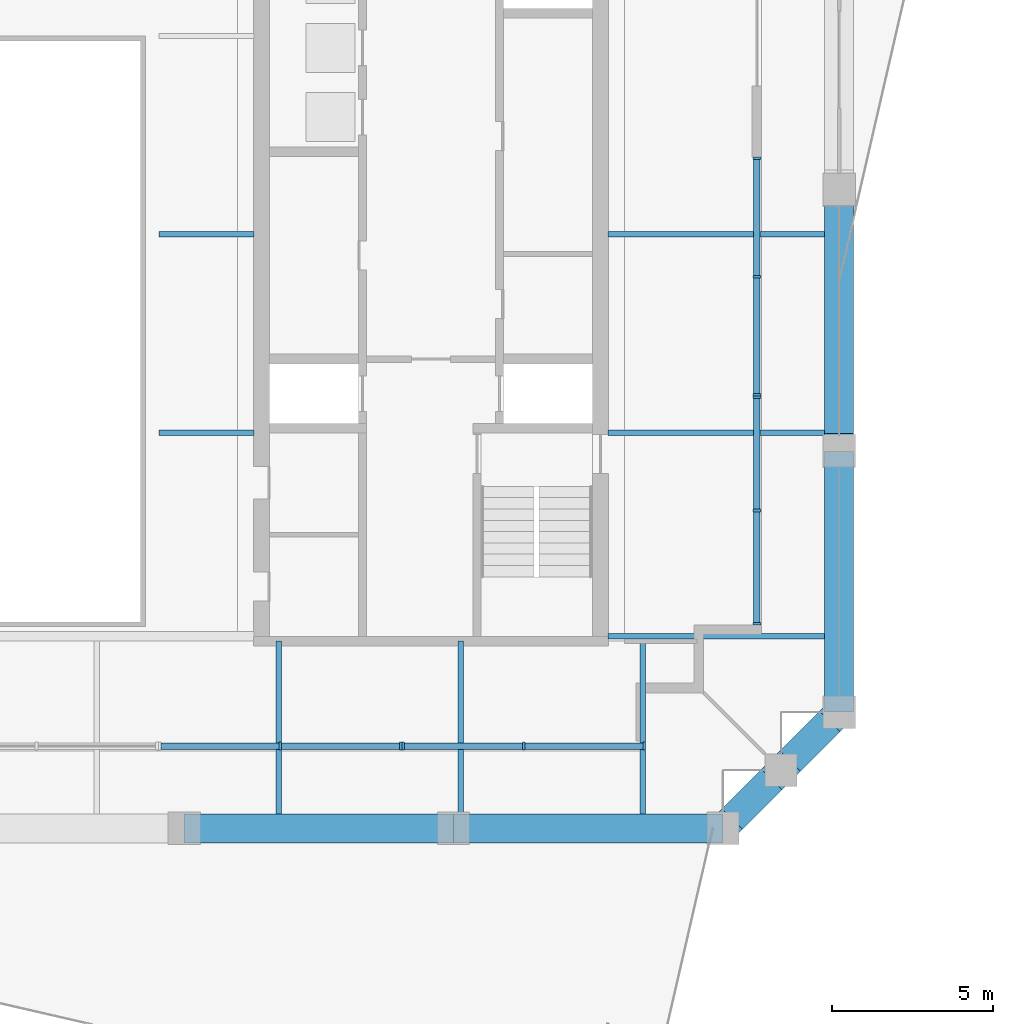
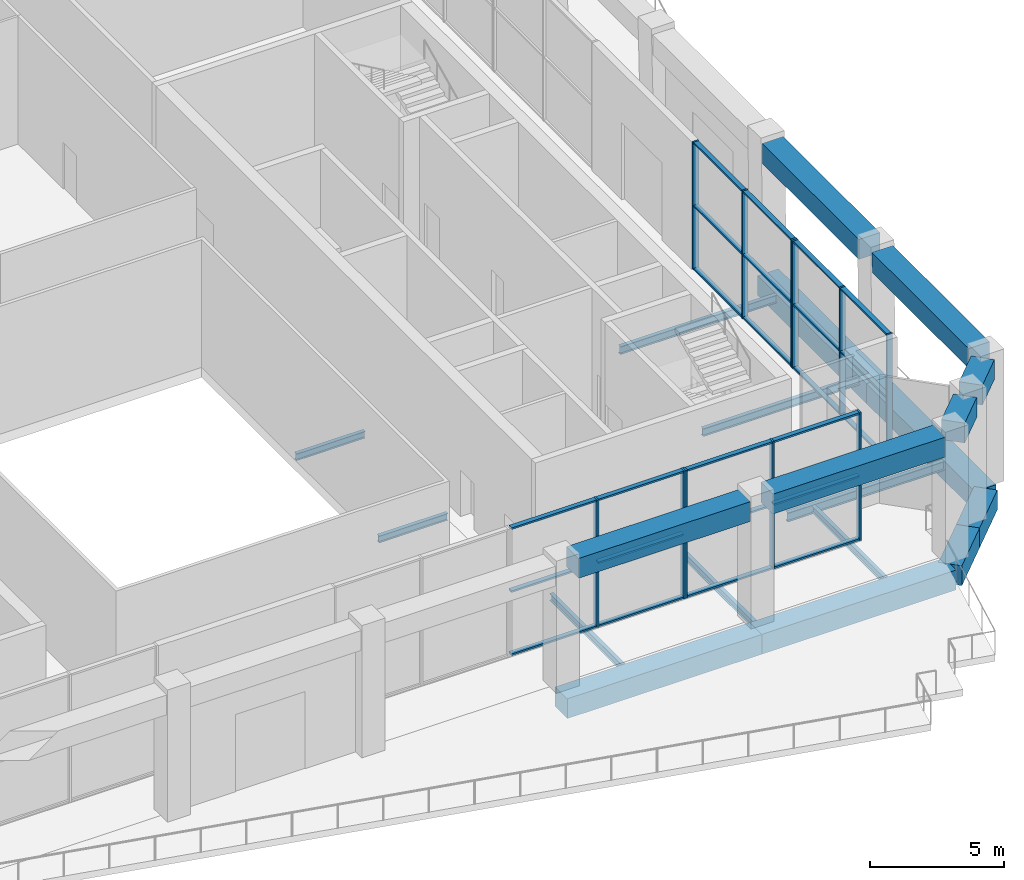
# One storey, part 3 of 20: 35 members, 20 beams, 4 elements without a shape of their own.
"""IFC4 building model written with IfcOpenShell, lengths in metres."""

import ifcopenshell
import ifcopenshell.guid

model = None  # the IFC model being written
_history = None  # IfcOwnerHistory: only IFC2X3 demands one
_inside = {}  # id of a spatial element -> (the spatial element, [elements in it])
_under = {}  # id of a project, library or spatial element -> (it, [spatial elements below it])
_declared = {}  # id of a project -> (the project, [libraries it declares])
_typed = {}  # id of a type object -> (the type object, [elements of that type])
_made_of = {}  # id of a material, layer set ... -> (it, [elements and type objects made of it])


def new_model(schema):
    """Start an empty IFC model of exactly this schema.

    Asked for "IFC4X3", IfcOpenShell would pick the latest addendum, in which some entities
    have other attributes; the version numbers below select the first issue.
    IFC2X3 requires an IfcOwnerHistory on every rooted entity: one is made here for all.
    """
    global model, _history
    if schema == "IFC4X3":
        model = ifcopenshell.file(schema_version=(4, 3, 0, 0))
    else:
        model = ifcopenshell.file(schema=schema)
    _inside.clear()
    _under.clear()
    _declared.clear()
    _typed.clear()
    _made_of.clear()
    _history = None
    if model.schema == "IFC2X3":
        org = make("IfcOrganization", Name="unknown")
        user = make(
            "IfcPersonAndOrganization",
            ThePerson=make("IfcPerson", FamilyName="unknown"),
            TheOrganization=org,
        )
        app = make(
            "IfcApplication",
            ApplicationDeveloper=org,
            Version="unknown",
            ApplicationFullName="unknown",
            ApplicationIdentifier="unknown",
        )
        _history = make(
            "IfcOwnerHistory",
            OwningUser=user,
            OwningApplication=app,
            ChangeAction="ADDED",
            CreationDate=0,
        )
    return model


def make(cls, **values):
    """One entity of the class cls with the attributes given. An attribute that is None is left unset."""
    return model.create_entity(
        cls, **{name: value for name, value in values.items() if value is not None}
    )


def rooted(cls, **values):
    """An entity with a GlobalId (a new one), such as an element, a storey or a relation."""
    return make(cls, GlobalId=ifcopenshell.guid.new(), OwnerHistory=_history, **values)


def si_unit(unit_type, name, prefix=None):
    """IfcSIUnit, for example si_unit("LENGTHUNIT", "METRE", prefix="MILLI")."""
    return make("IfcSIUnit", UnitType=unit_type, Prefix=prefix, Name=name)


def assignment(units):
    """IfcUnitAssignment: the units of a project."""
    return None if units is None else make("IfcUnitAssignment", Units=units)


def point(xyz):
    """IfcCartesianPoint."""
    return None if xyz is None else make("IfcCartesianPoint", Coordinates=xyz)


def direction(xyz):
    """IfcDirection."""
    return None if xyz is None else make("IfcDirection", DirectionRatios=xyz)


def frame(location, z_axis=None, x_axis=None):
    """IfcAxis2Placement3D, a coordinate frame: its origin and axes. An axis left out is left unset."""
    return make(
        "IfcAxis2Placement3D",
        Location=point(location),
        Axis=direction(z_axis),
        RefDirection=direction(x_axis),
    )


def frame_2d(location, x_axis=None):
    """IfcAxis2Placement2D, a coordinate frame in the plane: its origin and x axis."""
    return make(
        "IfcAxis2Placement2D", Location=point(location), RefDirection=direction(x_axis)
    )


def origin():
    """The frame at (0, 0, 0) with its axes left unset."""
    return frame((0.0, 0.0, 0.0))


def origin_2d():
    """The frame at (0, 0) in the plane with its x axis left unset."""
    return frame_2d((0.0, 0.0))


def place(relative_to, where):
    """IfcLocalPlacement: puts the frame where relative to a parent placement (None: the world)."""
    return make(
        "IfcLocalPlacement", PlacementRelTo=relative_to, RelativePlacement=where
    )


def context(
    kind, dimensions, precision=None, world=None, true_north=None, identifier=None
):
    """IfcGeometricRepresentationContext, for example the 3D "Model" context."""
    return make(
        "IfcGeometricRepresentationContext",
        ContextIdentifier=identifier,
        ContextType=kind,
        CoordinateSpaceDimension=dimensions,
        Precision=precision,
        WorldCoordinateSystem=world,
        TrueNorth=true_north,
    )


def subcontext(parent, identifier, kind, view, scale=None):
    """IfcGeometricRepresentationSubContext, for example "Body" below "Model"."""
    return make(
        "IfcGeometricRepresentationSubContext",
        ContextIdentifier=identifier,
        ContextType=kind,
        ParentContext=parent,
        TargetScale=scale,
        TargetView=view,
    )


def project(units=None, contexts=None):
    """IfcProject with its units and contexts."""
    return rooted(
        "IfcProject",
        Name="project",
        RepresentationContexts=contexts,
        UnitsInContext=assignment(units),
    )


def spatial(cls, under=None, at=None, **own):
    """A site, building, storey or space (cls), placed at a placement, below another one or the project."""
    s = rooted(cls, ObjectPlacement=at, **own)
    if under is not None:
        _under.setdefault(under.id(), (under, []))[1].append(s)
    return s


def profile(cls, at=None, kind="AREA", **sizes):
    """A parametric profile (cls). Its sizes go by their IFC names, for example OverallWidth=200.0."""
    return make(cls, ProfileType=kind, Position=at, **sizes)


def rectangle(**sizes):
    """IfcRectangleProfileDef."""
    return profile("IfcRectangleProfileDef", **sizes)


def i_section(**sizes):
    """IfcIShapeProfileDef."""
    return profile("IfcIShapeProfileDef", **sizes)


def extrude(swept, where, along, depth):
    """IfcExtrudedAreaSolid: the profile swept, set in the frame where, extruded along a direction by depth."""
    return make(
        "IfcExtrudedAreaSolid",
        SweptArea=swept,
        Position=where,
        ExtrudedDirection=direction(along),
        Depth=depth,
    )


def shape(context_of_items, identifier, shape_type, items):
    """IfcShapeRepresentation: the items that make up one representation, for example the "Body"."""
    return make(
        "IfcShapeRepresentation",
        ContextOfItems=context_of_items,
        RepresentationIdentifier=identifier,
        RepresentationType=shape_type,
        Items=items,
    )


def material(Name=None, Category=None):
    """IfcMaterial."""
    return make("IfcMaterial", Name=Name, Category=Category)


def material_profile(
    of_material, cross_section, Name=None, Category=None, Priority=None
):
    """IfcMaterialProfile: a cross section and its material."""
    return make(
        "IfcMaterialProfile",
        Name=Name,
        Material=of_material,
        Profile=cross_section,
        Priority=Priority,
        Category=Category,
    )


def profile_set(profiles, Name=None, composite=None):
    """IfcMaterialProfileSet."""
    return make(
        "IfcMaterialProfileSet",
        Name=Name,
        MaterialProfiles=profiles,
        CompositeProfile=composite,
    )


def made_of(thing, what):
    """Note that an element or type object is made of a material, layer set ...; save() writes the relation."""
    if what is not None:
        _made_of.setdefault(what.id(), (what, []))[1].append(thing)
    return thing


def type_object(cls, material=None, **own):
    """A type object (cls), such as IfcWallType, which elements share."""
    return made_of(rooted(cls, **own), material)


def element(
    cls,
    number,
    at=None,
    inside=None,
    cuts=None,
    type_object=None,
    material=None,
    context=None,
    identifier="Body",
    shape_type=None,
    held_by="IfcProductDefinitionShape",
    body=None,
    shapes=None,
    **own,
):
    """One element of the class cls, such as IfcWall. Its Tag is "e" and its number.

    at: its placement. inside: the storey or other place that contains it. cuts: it is an
    opening in that element (IfcRelVoidsElement). A single representation is given by context,
    identifier, shape_type and body (its items); several are given by shapes. held_by: the class
    of the entity that holds the representations. save() writes the other relations.
    """
    e = rooted(cls, Tag="e%d" % number, ObjectPlacement=at, **own)
    if body is not None:
        shapes = [shape(context, identifier, shape_type, body)]
    if shapes is not None:
        e.Representation = make(held_by, Representations=shapes)
    if inside is not None:
        _inside.setdefault(inside.id(), (inside, []))[1].append(e)
    if cuts is not None:
        rooted(
            "IfcRelVoidsElement", RelatingBuildingElement=cuts, RelatedOpeningElement=e
        )
    if type_object is not None:
        _typed.setdefault(type_object.id(), (type_object, []))[1].append(e)
    return made_of(e, material)


def aggregate(whole, parts):
    """IfcRelAggregates: a whole, such as a stair, and the parts it consists of."""
    return rooted("IfcRelAggregates", RelatingObject=whole, RelatedObjects=parts)


def save(model, path):
    """Write the relations noted so far, then the file.

    IfcRelAggregates (storeys below a building ...), IfcRelContainedInSpatialStructure (elements
    in a storey), IfcRelDefinesByType, IfcRelAssociatesMaterial and IfcRelDeclares: one each for
    every whole, place, type object, material and project.
    """
    for whole, parts in _under.values():
        aggregate(whole, parts)
    for where, things in _inside.values():
        rooted(
            "IfcRelContainedInSpatialStructure",
            RelatedElements=things,
            RelatingStructure=where,
        )
    for kind, things in _typed.values():
        rooted("IfcRelDefinesByType", RelatedObjects=things, RelatingType=kind)
    for what, things in _made_of.values():
        rooted("IfcRelAssociatesMaterial", RelatedObjects=things, RelatingMaterial=what)
    for by, libraries in _declared.values():
        rooted("IfcRelDeclares", RelatingContext=by, RelatedDefinitions=libraries)
    model.write(path)


model = new_model("IFC4")

# Units and contexts
model_context = context("Model", 3, precision=1e-05, world=origin(), true_north=direction((0.0, 1.0)))
body_context = subcontext(model_context, "Body", "Model", "MODEL_VIEW")
ifc_project = project(units=[si_unit("LENGTHUNIT", "METRE"), si_unit("AREAUNIT", "SQUARE_METRE"), si_unit("VOLUMEUNIT", "CUBIC_METRE"), si_unit("PLANEANGLEUNIT", "RADIAN"), si_unit("MASSUNIT", "GRAM", prefix="KILO")], contexts=[model_context])

# Site, building, storey
site_placement = place(None, origin())
site = spatial("IfcSite", under=ifc_project, at=site_placement, CompositionType="ELEMENT")
building_placement = place(site_placement, origin())
building = spatial("IfcBuilding", under=site, at=building_placement, Name="Ogive Exchange Tower", CompositionType="ELEMENT")
storey_placement = place(building_placement, frame((0.0, 0.0, 303.0)))
storey = spatial("IfcBuildingStorey", under=building, at=storey_placement, Name="L66", CompositionType="ELEMENT", Elevation=303.0)

# Beams
ifc_material_1 = material(Name="Steel ASTM A992 Gr50", Category="steel")
ifc_material_profile_1 = material_profile(ifc_material_1, i_section(OverallWidth=0.1650390625, OverallDepth=0.31005859375, WebThickness=0.005859375, FlangeThickness=0.009765625, at=origin_2d()), Name="W310x38.7")
ifc_profile_set_1 = profile_set([ifc_material_profile_1], Name="Steel ASTM A992 Gr50")
beam_type_1 = type_object("IfcBeamType", Name="Floor beam W310x38.7", PredefinedType="JOIST", material=ifc_profile_set_1)
for number, where, z_axis, x_axis, name in (
    (1, (7.570068359375, 3.8583984375, -0.60498046875), (1.0, 0.0, 0.0), (0.0, 1.0, 0.0), "Floor beam"),
    (2, (7.570068359375, 10.006591796875, -0.60498046875), (1.0, 0.0, 0.0), (0.0, 1.0, 0.0), "Floor beam"),
):
    element("IfcBeam", number, at=place(storey_placement, frame(where, z_axis=z_axis, x_axis=x_axis)), inside=storey, type_object=beam_type_1, Name=name, PredefinedType="JOIST", context=body_context, shape_type="SweptSolid", body=[
        extrude(i_section(OverallWidth=0.1650390625, OverallDepth=0.31005859375, WebThickness=0.005859375, FlangeThickness=0.009765625, at=origin_2d()), origin(), (0.0, 0.0, 1.0), 2.949951171875),
    ])
for number, where, z_axis, x_axis, name in (
    (3, (11.280029296875, -7.949951171875, -0.60498046875), (0.0, 1.0, 0.0), (-1.0, 0.0, 0.0), "Floor beam"),
    (4, (16.919921875, -7.949951171875, -0.60498046875), (0.0, 1.0, 0.0), (-1.0, 0.0, 0.0), "Floor beam"),
):
    element("IfcBeam", number, at=place(storey_placement, frame(where, z_axis=z_axis, x_axis=x_axis)), inside=storey, type_object=beam_type_1, Name=name, PredefinedType="JOIST", context=body_context, shape_type="SweptSolid", body=[
        extrude(i_section(OverallWidth=0.1650390625, OverallDepth=0.31005859375, WebThickness=0.005859375, FlangeThickness=0.009765625, at=origin_2d()), origin(), (0.0, 0.0, 1.0), 5.349853515625),
    ])
beam_1_placement = place(storey_placement, frame((22.56005859375, -7.949951171875, -0.60498046875), z_axis=(0.0, 1.0, 0.0), x_axis=(-1.0, 0.0, 0.0)))
element("IfcBeam", 5, at=beam_1_placement, inside=storey, type_object=beam_type_1, Name="Floor beam", PredefinedType="JOIST", context=body_context, shape_type="SweptSolid", body=[
    extrude(i_section(OverallWidth=0.1650390625, OverallDepth=0.31005859375, WebThickness=0.005859375, FlangeThickness=0.009765625, at=origin_2d()), origin(), (0.0, 0.0, 1.0), 5.416015625),
])
ifc_material_profile_2 = material_profile(ifc_material_1, i_section(OverallWidth=0.1708984375, OverallDepth=0.35595703125, WebThickness=0.00732421875, FlangeThickness=0.01171875, at=origin_2d()), Name="W360x51")
ifc_profile_set_2 = profile_set([ifc_material_profile_2], Name="Steel ASTM A992 Gr50")
beam_type_2 = type_object("IfcBeamType", Name="Floor beam W360x51", PredefinedType="JOIST", material=ifc_profile_set_2)
for number, where, z_axis, x_axis, name in (
    (6, (21.47998046875, 3.8583984375, -0.6279296875), (1.0, 0.0, 0.0), (0.0, 1.0, 0.0), "Floor beam"),
    (7, (21.47998046875, 10.006591796875, -0.6279296875), (1.0, 0.0, 0.0), (0.0, 1.0, 0.0), "Floor beam"),
):
    element("IfcBeam", number, at=place(storey_placement, frame(where, z_axis=z_axis, x_axis=x_axis)), inside=storey, type_object=beam_type_2, Name=name, PredefinedType="JOIST", context=body_context, shape_type="SweptSolid", body=[
        extrude(i_section(OverallWidth=0.1708984375, OverallDepth=0.35595703125, WebThickness=0.00732421875, FlangeThickness=0.01171875, at=origin_2d()), origin(), (0.0, 0.0, 1.0), 6.719970703125),
    ])
ifc_material_profile_3 = material_profile(ifc_material_1, i_section(OverallWidth=0.177978515625, OverallDepth=0.406005859375, WebThickness=0.0078125, FlangeThickness=0.0126953125, at=origin_2d()), Name="W410x60")
ifc_profile_set_3 = profile_set([ifc_material_profile_3], Name="Steel ASTM A992 Gr50")
beam_type_3 = type_object("IfcBeamType", Name="Girder W410x60", PredefinedType="BEAM", material=ifc_profile_set_3)
beam_2_placement = place(storey_placement, frame((21.47998046875, -2.445068359375, -0.653076171875), z_axis=(1.0, 0.0, 0.0), x_axis=(0.0, 1.0, 0.0)))
element("IfcBeam", 8, at=beam_2_placement, inside=storey, type_object=beam_type_3, Name="Header girder", PredefinedType="BEAM", context=body_context, shape_type="SweptSolid", body=[
    extrude(i_section(OverallWidth=0.177978515625, OverallDepth=0.406005859375, WebThickness=0.0078125, FlangeThickness=0.0126953125, at=origin_2d()), origin(), (0.0, 0.0, 1.0), 6.719970703125),
])
ifc_material_2 = material(Name="Precast concrete C70/85 (limestone faced)", Category="masonry")
ifc_material_profile_4 = material_profile(ifc_material_2, rectangle(XDim=0.89990234375, YDim=0.89990234375, at=origin_2d()), Name="900 x 900")
ifc_profile_set_4 = profile_set([ifc_material_profile_4], Name="Precast concrete C70/85 (limestone faced)")
beam_type_4 = type_object("IfcBeamType", Name="Precast spandrel 900 x 900 C70/85", PredefinedType="SPANDREL", material=ifc_profile_set_4)
beam_3_placement = place(storey_placement, frame((8.830078125, -8.39990234375, 5.300048828125), z_axis=(1.0, 0.0, 0.0), x_axis=(0.0, 1.0, 0.0)))
element("IfcBeam", 9, at=beam_3_placement, inside=storey, type_object=beam_type_4, Name="Spandrel 5", PredefinedType="SPANDREL", context=body_context, shape_type="SweptSolid", body=[
    extrude(rectangle(XDim=0.89990234375, YDim=0.89990234375, at=origin_2d()), origin(), (0.0, 0.0, 1.0), 7.389892578125),
])
beam_4_placement = place(storey_placement, frame((17.179931640625, -8.39990234375, 5.300048828125), z_axis=(1.0, 0.0, 0.0), x_axis=(0.0, 1.0, 0.0)))
element("IfcBeam", 10, at=beam_4_placement, inside=storey, type_object=beam_type_4, Name="Spandrel 6", PredefinedType="SPANDREL", context=body_context, shape_type="SweptSolid", body=[
    extrude(rectangle(XDim=0.89990234375, YDim=0.89990234375, at=origin_2d()), origin(), (0.0, 0.0, 1.0), 7.39013671875),
])
for number, where, z_axis, x_axis, name in (
    (11, (25.337890625, -8.112060546875, 5.300048828125), (0.707106781187, 0.707106781187, 0.0), (-0.707106781187, 0.707106781187, 0.0), "Spandrel 7"),
    (12, (27.137939453125, -6.31201171875, 5.300048828125), (0.707106781187, 0.707106781187, 0.0), (-0.707106781187, 0.707106781187, 0.0), "Spandrel 8"),
):
    element("IfcBeam", number, at=place(storey_placement, frame(where, z_axis=z_axis, x_axis=x_axis)), inside=storey, type_object=beam_type_4, Name=name, PredefinedType="SPANDREL", context=body_context, shape_type="SweptSolid", body=[
        extrude(rectangle(XDim=0.89990234375, YDim=0.89990234375, at=origin_2d()), origin(), (0.0, 0.0, 1.0), 1.731201171875),
    ])
beam_5_placement = place(storey_placement, frame((28.64990234375, -4.320068359375, 5.300048828125), z_axis=(0.0, 1.0, 0.0), x_axis=(-1.0, 0.0, 0.0)))
element("IfcBeam", 13, at=beam_5_placement, inside=storey, type_object=beam_type_4, Name="Spandrel 9", PredefinedType="SPANDREL", context=body_context, shape_type="SweptSolid", body=[
    extrude(rectangle(XDim=0.89990234375, YDim=0.89990234375, at=origin_2d()), origin(), (0.0, 0.0, 1.0), 7.20361328125),
])
beam_6_placement = place(storey_placement, frame((28.64990234375, 3.843505859375, 5.300048828125), z_axis=(0.0, 1.0, 0.0), x_axis=(-1.0, 0.0, 0.0)))
element("IfcBeam", 14, at=beam_6_placement, inside=storey, type_object=beam_type_4, Name="Spandrel 10", PredefinedType="SPANDREL", context=body_context, shape_type="SweptSolid", body=[
    extrude(rectangle(XDim=0.89990234375, YDim=0.89990234375, at=origin_2d()), origin(), (0.0, 0.0, 1.0), 7.203857421875),
])
ifc_material_profile_5 = material_profile(ifc_material_2, rectangle(XDim=0.89990234375, YDim=0.89990234375, at=origin_2d()), Name="900 x 900")
ifc_profile_set_5 = profile_set([ifc_material_profile_5], Name="Precast concrete C70/85 (limestone faced)")
beam_type_5 = type_object("IfcBeamType", Name="Precast transfer girder 900 x 900 C70/85", PredefinedType="BEAM", material=ifc_profile_set_5)
beam_7_placement = place(storey_placement, frame((8.35009765625, -8.39990234375, -0.89990234375), z_axis=(1.0, 0.0, 0.0), x_axis=(0.0, 1.0, 0.0)))
element("IfcBeam", 15, at=beam_7_placement, inside=storey, type_object=beam_type_5, Name="Transfer girder 5", PredefinedType="BEAM", context=body_context, shape_type="SweptSolid", body=[
    extrude(rectangle(XDim=0.89990234375, YDim=0.89990234375, at=origin_2d()), origin(), (0.0, 0.0, 1.0), 8.349853515625),
])
beam_8_placement = place(storey_placement, frame((16.699951171875, -8.39990234375, -0.89990234375), z_axis=(1.0, 0.0, 0.0), x_axis=(0.0, 1.0, 0.0)))
element("IfcBeam", 16, at=beam_8_placement, inside=storey, type_object=beam_type_5, Name="Transfer girder 6", PredefinedType="BEAM", context=body_context, shape_type="SweptSolid", body=[
    extrude(rectangle(XDim=0.89990234375, YDim=0.89990234375, at=origin_2d()), origin(), (0.0, 0.0, 1.0), 8.35009765625),
])
for number, where, z_axis, x_axis, name in (
    (17, (25.050048828125, -8.39990234375, -0.89990234375), (0.707154735259, 0.707058823862, 0.0), (-0.707058823862, 0.707154735259, 0.0), "Transfer girder 7"),
    (18, (26.85009765625, -6.60009765625, -0.89990234375), (0.707058823862, 0.707154735259, 0.0), (-0.707154735259, 0.707058823862, 0.0), "Transfer girder 8"),
):
    element("IfcBeam", number, at=place(storey_placement, frame(where, z_axis=z_axis, x_axis=x_axis)), inside=storey, type_object=beam_type_5, Name=name, PredefinedType="BEAM", context=body_context, shape_type="SweptSolid", body=[
        extrude(rectangle(XDim=0.89990234375, YDim=0.89990234375, at=origin_2d()), origin(), (0.0, 0.0, 1.0), 2.54541015625),
    ])
for number, where, z_axis, x_axis, name in (
    (19, (28.64990234375, -4.800048828125, -0.89990234375), (0.0, 1.0, 0.0), (-1.0, 0.0, 0.0), "Transfer girder 9"),
    (20, (28.64990234375, 3.28564453125, -0.89990234375), (0.0, 1.0, 0.0), (-1.0, 0.0, 0.0), "Transfer girder 10"),
):
    element("IfcBeam", number, at=place(storey_placement, frame(where, z_axis=z_axis, x_axis=x_axis)), inside=storey, type_object=beam_type_5, Name=name, PredefinedType="BEAM", context=body_context, shape_type="SweptSolid", body=[
        extrude(rectangle(XDim=0.89990234375, YDim=0.89990234375, at=origin_2d()), origin(), (0.0, 0.0, 1.0), 8.085693359375),
    ])

# Curtain wall, members
ifc_material_3 = material(Name="Anodised aluminium and clear glass", Category="aluminium")
curtain_wall_type = type_object("IfcCurtainWallType", Name="Winter garden glazing", PredefinedType="NOTDEFINED", material=ifc_material_3)
curtain_wall_1_placement = place(storey_placement, origin())
curtain_wall_1 = element("IfcCurtainWall", 21, at=curtain_wall_1_placement, inside=storey, type_object=curtain_wall_type, Name="Winter garden glazing run G5", PredefinedType="NOTDEFINED")
ifc_material_4 = material(Name="Anodised aluminium", Category="aluminium")
ifc_material_profile_6 = material_profile(ifc_material_4, rectangle(XDim=0.239990234375, YDim=0.080078125, at=origin_2d()), Name="AL 80x240")
ifc_profile_set_6 = profile_set([ifc_material_profile_6], Name="Anodised aluminium")
member_type_1 = type_object("IfcMemberType", Name="Winter garden glazing mullion 80 x 240", PredefinedType="MULLION", material=ifc_profile_set_6)
member_1_placement = place(storey_placement, frame((11.324951171875, -5.85009765625, 0.0), z_axis=(0.0, 0.0, 1.0), x_axis=(0.0, 1.0, 0.0)))
member_1 = element("IfcMember", 22, at=member_1_placement, type_object=member_type_1, Name="G5 mullion 2", PredefinedType="MULLION", context=body_context, shape_type="SweptSolid", body=[
    extrude(rectangle(XDim=0.239990234375, YDim=0.080078125, at=origin_2d()), origin(), (0.0, 0.0, 1.0), 5.800048828125),
])
member_2_placement = place(storey_placement, frame((15.06005859375, -5.85009765625, 0.0), z_axis=(0.0, 0.0, 1.0), x_axis=(0.0, 1.0, 0.0)))
member_2 = element("IfcMember", 23, at=member_2_placement, type_object=member_type_1, Name="G5 mullion 3", PredefinedType="MULLION", context=body_context, shape_type="SweptSolid", body=[
    extrude(rectangle(XDim=0.239990234375, YDim=0.080078125, at=origin_2d()), origin(), (0.0, 0.0, 1.0), 5.800048828125),
])

curtain_wall_2_placement = place(storey_placement, origin())
curtain_wall_2 = element("IfcCurtainWall", 24, at=curtain_wall_2_placement, inside=storey, type_object=curtain_wall_type, Name="Winter garden glazing run G6", PredefinedType="NOTDEFINED")
member_3_placement = place(storey_placement, frame((15.139892578125, -5.85009765625, 0.0), z_axis=(0.0, 0.0, 1.0), x_axis=(0.0, 1.0, 0.0)))
member_3 = element("IfcMember", 25, at=member_3_placement, type_object=member_type_1, Name="G6 mullion 1", PredefinedType="MULLION", context=body_context, shape_type="SweptSolid", body=[
    extrude(rectangle(XDim=0.239990234375, YDim=0.080078125, at=origin_2d()), origin(), (0.0, 0.0, 1.0), 5.800048828125),
])
member_4_placement = place(storey_placement, frame((18.875, -5.85009765625, 0.0), z_axis=(0.0, 0.0, 1.0), x_axis=(0.0, 1.0, 0.0)))
member_4 = element("IfcMember", 26, at=member_4_placement, type_object=member_type_1, Name="G6 mullion 2", PredefinedType="MULLION", context=body_context, shape_type="SweptSolid", body=[
    extrude(rectangle(XDim=0.239990234375, YDim=0.080078125, at=origin_2d()), origin(), (0.0, 0.0, 1.0), 5.800048828125),
])
member_5_placement = place(storey_placement, frame((22.610107421875, -5.85009765625, 0.0), z_axis=(0.0, 0.0, 1.0), x_axis=(0.0, 1.0, 0.0)))
member_5 = element("IfcMember", 27, at=member_5_placement, type_object=member_type_1, Name="G6 mullion 3", PredefinedType="MULLION", context=body_context, shape_type="SweptSolid", body=[
    extrude(rectangle(XDim=0.239990234375, YDim=0.080078125, at=origin_2d()), origin(), (0.0, 0.0, 1.0), 5.800048828125),
])

curtain_wall_3_placement = place(storey_placement, origin())
curtain_wall_3 = element("IfcCurtainWall", 28, at=curtain_wall_3_placement, inside=storey, type_object=curtain_wall_type, Name="Winter garden glazing run G7", PredefinedType="NOTDEFINED")
member_6_placement = place(storey_placement, frame((26.10009765625, -2.06005859375, 0.0), z_axis=(0.0, 0.0, 1.0), x_axis=(-1.0, 0.0, 0.0)))
member_6 = element("IfcMember", 29, at=member_6_placement, type_object=member_type_1, Name="G7 mullion 1", PredefinedType="MULLION", context=body_context, shape_type="SweptSolid", body=[
    extrude(rectangle(XDim=0.239990234375, YDim=0.080078125, at=origin_2d()), origin(), (0.0, 0.0, 1.0), 5.800048828125),
])
member_7_placement = place(storey_placement, frame((26.10009765625, 1.449951171875, 0.0), z_axis=(0.0, 0.0, 1.0), x_axis=(-1.0, 0.0, 0.0)))
member_7 = element("IfcMember", 30, at=member_7_placement, type_object=member_type_1, Name="G7 mullion 2", PredefinedType="MULLION", context=body_context, shape_type="SweptSolid", body=[
    extrude(rectangle(XDim=0.239990234375, YDim=0.080078125, at=origin_2d()), origin(), (0.0, 0.0, 1.0), 5.800048828125),
])
member_8_placement = place(storey_placement, frame((26.10009765625, 4.9599609375, 0.0), z_axis=(0.0, 0.0, 1.0), x_axis=(-1.0, 0.0, 0.0)))
member_8 = element("IfcMember", 31, at=member_8_placement, type_object=member_type_1, Name="G7 mullion 3", PredefinedType="MULLION", context=body_context, shape_type="SweptSolid", body=[
    extrude(rectangle(XDim=0.239990234375, YDim=0.080078125, at=origin_2d()), origin(), (0.0, 0.0, 1.0), 5.800048828125),
])

curtain_wall_4_placement = place(storey_placement, origin())
curtain_wall_4 = element("IfcCurtainWall", 32, at=curtain_wall_4_placement, inside=storey, type_object=curtain_wall_type, Name="Winter garden glazing run G8", PredefinedType="NOTDEFINED")
member_9_placement = place(storey_placement, frame((26.10009765625, 5.0400390625, 0.0), z_axis=(0.0, 0.0, 1.0), x_axis=(-1.0, 0.0, 0.0)))
member_9 = element("IfcMember", 33, at=member_9_placement, type_object=member_type_1, Name="G8 mullion 1", PredefinedType="MULLION", context=body_context, shape_type="SweptSolid", body=[
    extrude(rectangle(XDim=0.239990234375, YDim=0.080078125, at=origin_2d()), origin(), (0.0, 0.0, 1.0), 5.800048828125),
])
member_10_placement = place(storey_placement, frame((26.10009765625, 8.699951171875, 0.0), z_axis=(0.0, 0.0, 1.0), x_axis=(-1.0, 0.0, 0.0)))
member_10 = element("IfcMember", 34, at=member_10_placement, type_object=member_type_1, Name="G8 mullion 2", PredefinedType="MULLION", context=body_context, shape_type="SweptSolid", body=[
    extrude(rectangle(XDim=0.239990234375, YDim=0.080078125, at=origin_2d()), origin(), (0.0, 0.0, 1.0), 5.800048828125),
])
member_11_placement = place(storey_placement, frame((26.10009765625, 12.360107421875, 0.0), z_axis=(0.0, 0.0, 1.0), x_axis=(-1.0, 0.0, 0.0)))
member_11 = element("IfcMember", 35, at=member_11_placement, type_object=member_type_1, Name="G8 mullion 3", PredefinedType="MULLION", context=body_context, shape_type="SweptSolid", body=[
    extrude(rectangle(XDim=0.239990234375, YDim=0.080078125, at=origin_2d()), origin(), (0.0, 0.0, 1.0), 5.800048828125),
])

# Member
ifc_material_profile_7 = material_profile(ifc_material_4, rectangle(XDim=0.199951171875, YDim=0.080078125, at=origin_2d()), Name="AL 80x200")
ifc_profile_set_7 = profile_set([ifc_material_profile_7], Name="Anodised aluminium")
member_type_2 = type_object("IfcMemberType", Name="Winter garden glazing transom 80 x 200", PredefinedType="USERDEFINED", material=ifc_profile_set_7)
member_12_placement = place(storey_placement, frame((7.6298828125, -5.85009765625, 0.0400390625), z_axis=(1.0, 0.0, 0.0), x_axis=(0.0, 1.0, 0.0)))
member_12 = element("IfcMember", 36, at=member_12_placement, type_object=member_type_2, Name="G5 transom 1.1", ObjectType="TRANSOM", PredefinedType="USERDEFINED", context=body_context, shape_type="SweptSolid", body=[
    extrude(rectangle(XDim=0.199951171875, YDim=0.080078125, at=origin_2d()), origin(), (0.0, 0.0, 1.0), 3.655029296875),
])

member_13_placement = place(storey_placement, frame((7.6298828125, -5.85009765625, 2.89990234375), z_axis=(1.0, 0.0, 0.0), x_axis=(0.0, 1.0, 0.0)))
member_13 = element("IfcMember", 37, at=member_13_placement, type_object=member_type_2, Name="G5 transom 1.2", ObjectType="TRANSOM", PredefinedType="USERDEFINED", context=body_context, shape_type="SweptSolid", body=[
    extrude(rectangle(XDim=0.199951171875, YDim=0.080078125, at=origin_2d()), origin(), (0.0, 0.0, 1.0), 3.655029296875),
])

member_14_placement = place(storey_placement, frame((7.6298828125, -5.85009765625, 5.760009765625), z_axis=(1.0, 0.0, 0.0), x_axis=(0.0, 1.0, 0.0)))
member_14 = element("IfcMember", 38, at=member_14_placement, type_object=member_type_2, Name="G5 transom 1.3", ObjectType="TRANSOM", PredefinedType="USERDEFINED", context=body_context, shape_type="SweptSolid", body=[
    extrude(rectangle(XDim=0.199951171875, YDim=0.080078125, at=origin_2d()), origin(), (0.0, 0.0, 1.0), 3.655029296875),
])

member_15_placement = place(storey_placement, frame((11.364990234375, -5.85009765625, 0.0400390625), z_axis=(1.0, 0.0, 0.0), x_axis=(0.0, 1.0, 0.0)))
member_15 = element("IfcMember", 39, at=member_15_placement, type_object=member_type_2, Name="G5 transom 2.1", ObjectType="TRANSOM", PredefinedType="USERDEFINED", context=body_context, shape_type="SweptSolid", body=[
    extrude(rectangle(XDim=0.199951171875, YDim=0.080078125, at=origin_2d()), origin(), (0.0, 0.0, 1.0), 3.655029296875),
])

member_16_placement = place(storey_placement, frame((11.364990234375, -5.85009765625, 2.89990234375), z_axis=(1.0, 0.0, 0.0), x_axis=(0.0, 1.0, 0.0)))
member_16 = element("IfcMember", 40, at=member_16_placement, type_object=member_type_2, Name="G5 transom 2.2", ObjectType="TRANSOM", PredefinedType="USERDEFINED", context=body_context, shape_type="SweptSolid", body=[
    extrude(rectangle(XDim=0.199951171875, YDim=0.080078125, at=origin_2d()), origin(), (0.0, 0.0, 1.0), 3.655029296875),
])

member_17_placement = place(storey_placement, frame((11.364990234375, -5.85009765625, 5.760009765625), z_axis=(1.0, 0.0, 0.0), x_axis=(0.0, 1.0, 0.0)))
member_17 = element("IfcMember", 41, at=member_17_placement, type_object=member_type_2, Name="G5 transom 2.3", ObjectType="TRANSOM", PredefinedType="USERDEFINED", context=body_context, shape_type="SweptSolid", body=[
    extrude(rectangle(XDim=0.199951171875, YDim=0.080078125, at=origin_2d()), origin(), (0.0, 0.0, 1.0), 3.655029296875),
])

aggregate(curtain_wall_1, [member_1, member_2, member_12, member_13, member_14, member_15, member_16, member_17])

member_18_placement = place(storey_placement, frame((15.179931640625, -5.85009765625, 0.0400390625), z_axis=(1.0, 0.0, 0.0), x_axis=(0.0, 1.0, 0.0)))
member_18 = element("IfcMember", 42, at=member_18_placement, type_object=member_type_2, Name="G6 transom 1.1", ObjectType="TRANSOM", PredefinedType="USERDEFINED", context=body_context, shape_type="SweptSolid", body=[
    extrude(rectangle(XDim=0.199951171875, YDim=0.080078125, at=origin_2d()), origin(), (0.0, 0.0, 1.0), 3.655029296875),
])

member_19_placement = place(storey_placement, frame((15.179931640625, -5.85009765625, 2.89990234375), z_axis=(1.0, 0.0, 0.0), x_axis=(0.0, 1.0, 0.0)))
member_19 = element("IfcMember", 43, at=member_19_placement, type_object=member_type_2, Name="G6 transom 1.2", ObjectType="TRANSOM", PredefinedType="USERDEFINED", context=body_context, shape_type="SweptSolid", body=[
    extrude(rectangle(XDim=0.199951171875, YDim=0.080078125, at=origin_2d()), origin(), (0.0, 0.0, 1.0), 3.655029296875),
])

member_20_placement = place(storey_placement, frame((15.179931640625, -5.85009765625, 5.760009765625), z_axis=(1.0, 0.0, 0.0), x_axis=(0.0, 1.0, 0.0)))
member_20 = element("IfcMember", 44, at=member_20_placement, type_object=member_type_2, Name="G6 transom 1.3", ObjectType="TRANSOM", PredefinedType="USERDEFINED", context=body_context, shape_type="SweptSolid", body=[
    extrude(rectangle(XDim=0.199951171875, YDim=0.080078125, at=origin_2d()), origin(), (0.0, 0.0, 1.0), 3.655029296875),
])

member_21_placement = place(storey_placement, frame((18.9150390625, -5.85009765625, 0.0400390625), z_axis=(1.0, 0.0, 0.0), x_axis=(0.0, 1.0, 0.0)))
member_21 = element("IfcMember", 45, at=member_21_placement, type_object=member_type_2, Name="G6 transom 2.1", ObjectType="TRANSOM", PredefinedType="USERDEFINED", context=body_context, shape_type="SweptSolid", body=[
    extrude(rectangle(XDim=0.199951171875, YDim=0.080078125, at=origin_2d()), origin(), (0.0, 0.0, 1.0), 3.655029296875),
])

member_22_placement = place(storey_placement, frame((18.9150390625, -5.85009765625, 2.89990234375), z_axis=(1.0, 0.0, 0.0), x_axis=(0.0, 1.0, 0.0)))
member_22 = element("IfcMember", 46, at=member_22_placement, type_object=member_type_2, Name="G6 transom 2.2", ObjectType="TRANSOM", PredefinedType="USERDEFINED", context=body_context, shape_type="SweptSolid", body=[
    extrude(rectangle(XDim=0.199951171875, YDim=0.080078125, at=origin_2d()), origin(), (0.0, 0.0, 1.0), 3.655029296875),
])

member_23_placement = place(storey_placement, frame((18.9150390625, -5.85009765625, 5.760009765625), z_axis=(1.0, 0.0, 0.0), x_axis=(0.0, 1.0, 0.0)))
member_23 = element("IfcMember", 47, at=member_23_placement, type_object=member_type_2, Name="G6 transom 2.3", ObjectType="TRANSOM", PredefinedType="USERDEFINED", context=body_context, shape_type="SweptSolid", body=[
    extrude(rectangle(XDim=0.199951171875, YDim=0.080078125, at=origin_2d()), origin(), (0.0, 0.0, 1.0), 3.655029296875),
])

aggregate(curtain_wall_2, [member_3, member_4, member_5, member_18, member_19, member_20, member_21, member_22, member_23])

member_24_placement = place(storey_placement, frame((26.10009765625, -2.02001953125, 0.0400390625), z_axis=(0.0, 1.0, 0.0), x_axis=(-1.0, 0.0, 0.0)))
member_24 = element("IfcMember", 48, at=member_24_placement, type_object=member_type_2, Name="G7 transom 1.1", ObjectType="TRANSOM", PredefinedType="USERDEFINED", context=body_context, shape_type="SweptSolid", body=[
    extrude(rectangle(XDim=0.199951171875, YDim=0.080078125, at=origin_2d()), origin(), (0.0, 0.0, 1.0), 3.429931640625),
])

member_25_placement = place(storey_placement, frame((26.10009765625, -2.02001953125, 2.89990234375), z_axis=(0.0, 1.0, 0.0), x_axis=(-1.0, 0.0, 0.0)))
member_25 = element("IfcMember", 49, at=member_25_placement, type_object=member_type_2, Name="G7 transom 1.2", ObjectType="TRANSOM", PredefinedType="USERDEFINED", context=body_context, shape_type="SweptSolid", body=[
    extrude(rectangle(XDim=0.199951171875, YDim=0.080078125, at=origin_2d()), origin(), (0.0, 0.0, 1.0), 3.429931640625),
])

member_26_placement = place(storey_placement, frame((26.10009765625, -2.02001953125, 5.760009765625), z_axis=(0.0, 1.0, 0.0), x_axis=(-1.0, 0.0, 0.0)))
member_26 = element("IfcMember", 50, at=member_26_placement, type_object=member_type_2, Name="G7 transom 1.3", ObjectType="TRANSOM", PredefinedType="USERDEFINED", context=body_context, shape_type="SweptSolid", body=[
    extrude(rectangle(XDim=0.199951171875, YDim=0.080078125, at=origin_2d()), origin(), (0.0, 0.0, 1.0), 3.429931640625),
])

member_27_placement = place(storey_placement, frame((26.10009765625, 1.489990234375, 0.0400390625), z_axis=(0.0, 1.0, 0.0), x_axis=(-1.0, 0.0, 0.0)))
member_27 = element("IfcMember", 51, at=member_27_placement, type_object=member_type_2, Name="G7 transom 2.1", ObjectType="TRANSOM", PredefinedType="USERDEFINED", context=body_context, shape_type="SweptSolid", body=[
    extrude(rectangle(XDim=0.199951171875, YDim=0.080078125, at=origin_2d()), origin(), (0.0, 0.0, 1.0), 3.429931640625),
])

member_28_placement = place(storey_placement, frame((26.10009765625, 1.489990234375, 2.89990234375), z_axis=(0.0, 1.0, 0.0), x_axis=(-1.0, 0.0, 0.0)))
member_28 = element("IfcMember", 52, at=member_28_placement, type_object=member_type_2, Name="G7 transom 2.2", ObjectType="TRANSOM", PredefinedType="USERDEFINED", context=body_context, shape_type="SweptSolid", body=[
    extrude(rectangle(XDim=0.199951171875, YDim=0.080078125, at=origin_2d()), origin(), (0.0, 0.0, 1.0), 3.429931640625),
])

member_29_placement = place(storey_placement, frame((26.10009765625, 1.489990234375, 5.760009765625), z_axis=(0.0, 1.0, 0.0), x_axis=(-1.0, 0.0, 0.0)))
member_29 = element("IfcMember", 53, at=member_29_placement, type_object=member_type_2, Name="G7 transom 2.3", ObjectType="TRANSOM", PredefinedType="USERDEFINED", context=body_context, shape_type="SweptSolid", body=[
    extrude(rectangle(XDim=0.199951171875, YDim=0.080078125, at=origin_2d()), origin(), (0.0, 0.0, 1.0), 3.429931640625),
])

aggregate(curtain_wall_3, [member_6, member_7, member_8, member_24, member_25, member_26, member_27, member_28, member_29])

member_30_placement = place(storey_placement, frame((26.10009765625, 5.080078125, 0.0400390625), z_axis=(0.0, 1.0, 0.0), x_axis=(-1.0, 0.0, 0.0)))
member_30 = element("IfcMember", 54, at=member_30_placement, type_object=member_type_2, Name="G8 transom 1.1", ObjectType="TRANSOM", PredefinedType="USERDEFINED", context=body_context, shape_type="SweptSolid", body=[
    extrude(rectangle(XDim=0.199951171875, YDim=0.080078125, at=origin_2d()), origin(), (0.0, 0.0, 1.0), 3.579833984375),
])

member_31_placement = place(storey_placement, frame((26.10009765625, 5.080078125, 2.89990234375), z_axis=(0.0, 1.0, 0.0), x_axis=(-1.0, 0.0, 0.0)))
member_31 = element("IfcMember", 55, at=member_31_placement, type_object=member_type_2, Name="G8 transom 1.2", ObjectType="TRANSOM", PredefinedType="USERDEFINED", context=body_context, shape_type="SweptSolid", body=[
    extrude(rectangle(XDim=0.199951171875, YDim=0.080078125, at=origin_2d()), origin(), (0.0, 0.0, 1.0), 3.579833984375),
])

member_32_placement = place(storey_placement, frame((26.10009765625, 5.080078125, 5.760009765625), z_axis=(0.0, 1.0, 0.0), x_axis=(-1.0, 0.0, 0.0)))
member_32 = element("IfcMember", 56, at=member_32_placement, type_object=member_type_2, Name="G8 transom 1.3", ObjectType="TRANSOM", PredefinedType="USERDEFINED", context=body_context, shape_type="SweptSolid", body=[
    extrude(rectangle(XDim=0.199951171875, YDim=0.080078125, at=origin_2d()), origin(), (0.0, 0.0, 1.0), 3.579833984375),
])

member_33_placement = place(storey_placement, frame((26.10009765625, 8.739990234375, 0.0400390625), z_axis=(0.0, 1.0, 0.0), x_axis=(-1.0, 0.0, 0.0)))
member_33 = element("IfcMember", 57, at=member_33_placement, type_object=member_type_2, Name="G8 transom 2.1", ObjectType="TRANSOM", PredefinedType="USERDEFINED", context=body_context, shape_type="SweptSolid", body=[
    extrude(rectangle(XDim=0.199951171875, YDim=0.080078125, at=origin_2d()), origin(), (0.0, 0.0, 1.0), 3.580078125),
])

member_34_placement = place(storey_placement, frame((26.10009765625, 8.739990234375, 2.89990234375), z_axis=(0.0, 1.0, 0.0), x_axis=(-1.0, 0.0, 0.0)))
member_34 = element("IfcMember", 58, at=member_34_placement, type_object=member_type_2, Name="G8 transom 2.2", ObjectType="TRANSOM", PredefinedType="USERDEFINED", context=body_context, shape_type="SweptSolid", body=[
    extrude(rectangle(XDim=0.199951171875, YDim=0.080078125, at=origin_2d()), origin(), (0.0, 0.0, 1.0), 3.580078125),
])

member_35_placement = place(storey_placement, frame((26.10009765625, 8.739990234375, 5.760009765625), z_axis=(0.0, 1.0, 0.0), x_axis=(-1.0, 0.0, 0.0)))
member_35 = element("IfcMember", 59, at=member_35_placement, type_object=member_type_2, Name="G8 transom 2.3", ObjectType="TRANSOM", PredefinedType="USERDEFINED", context=body_context, shape_type="SweptSolid", body=[
    extrude(rectangle(XDim=0.199951171875, YDim=0.080078125, at=origin_2d()), origin(), (0.0, 0.0, 1.0), 3.580078125),
])

aggregate(curtain_wall_4, [member_9, member_10, member_11, member_30, member_31, member_32, member_33, member_34, member_35])

save(model, "model.ifc")
